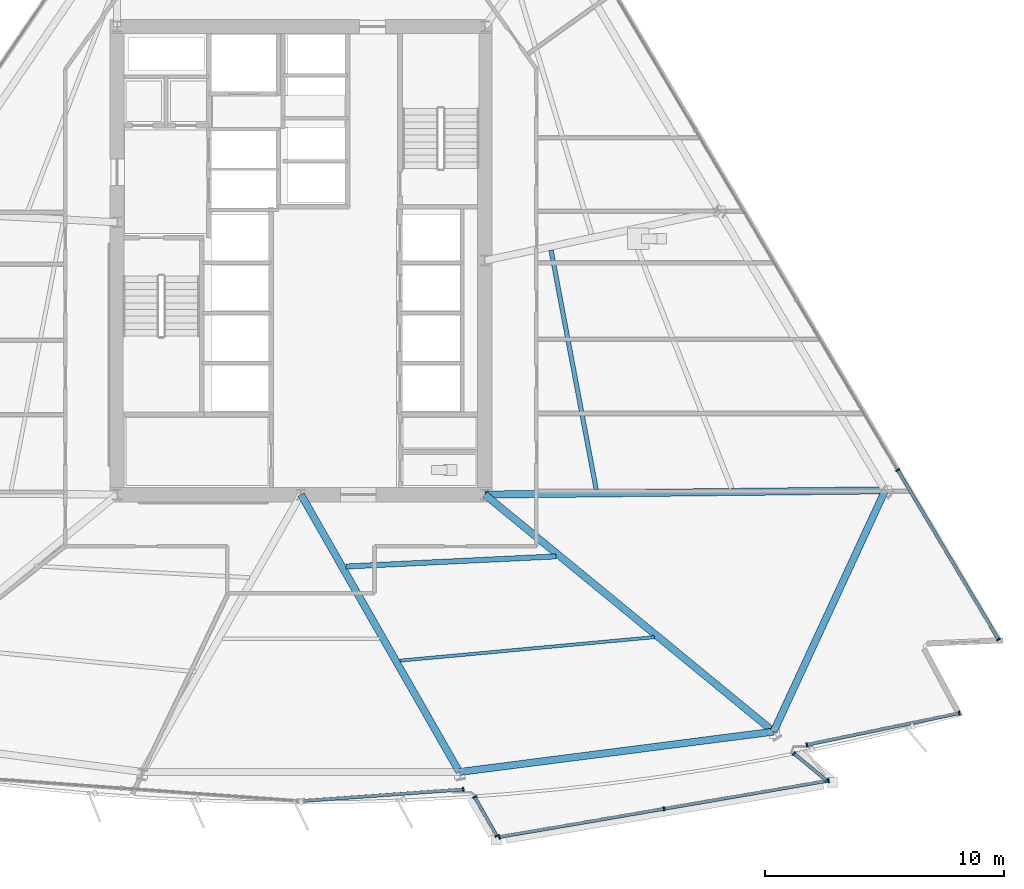
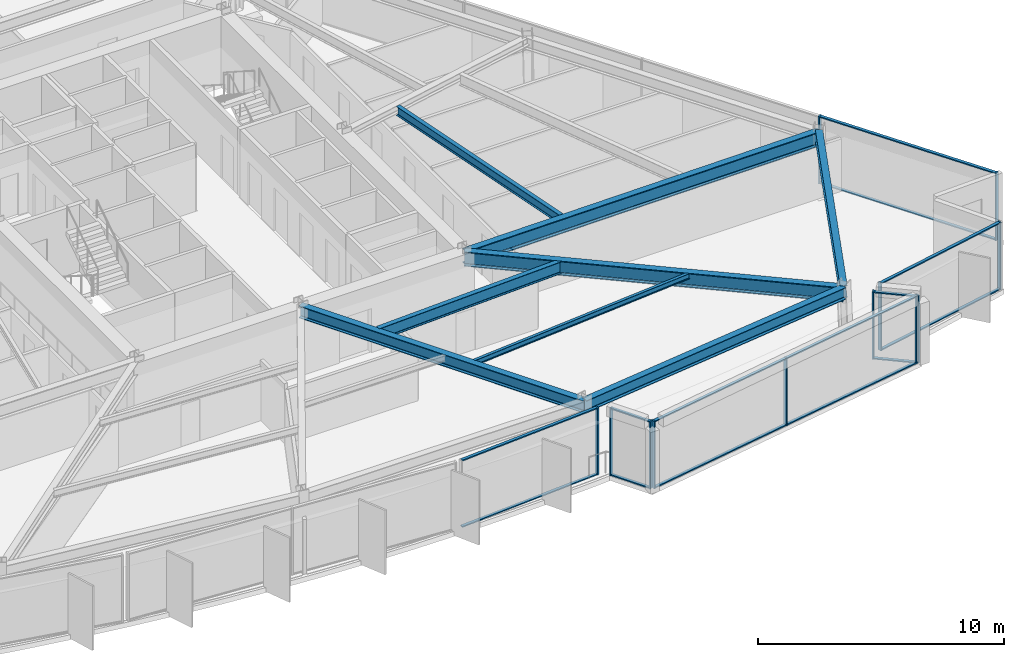
# One storey, part 4 of 16: 26 members, 8 beams, 6 elements without a shape of their own.
"""IFC4 building model written with IfcOpenShell, lengths in metres."""

import ifcopenshell
import ifcopenshell.guid

model = None  # the IFC model being written
_history = None  # IfcOwnerHistory: only IFC2X3 demands one
_inside = {}  # id of a spatial element -> (the spatial element, [elements in it])
_under = {}  # id of a project, library or spatial element -> (it, [spatial elements below it])
_declared = {}  # id of a project -> (the project, [libraries it declares])
_typed = {}  # id of a type object -> (the type object, [elements of that type])
_made_of = {}  # id of a material, layer set ... -> (it, [elements and type objects made of it])


def new_model(schema):
    """Start an empty IFC model of exactly this schema.

    Asked for "IFC4X3", IfcOpenShell would pick the latest addendum, in which some entities
    have other attributes; the version numbers below select the first issue.
    IFC2X3 requires an IfcOwnerHistory on every rooted entity: one is made here for all.
    """
    global model, _history
    if schema == "IFC4X3":
        model = ifcopenshell.file(schema_version=(4, 3, 0, 0))
    else:
        model = ifcopenshell.file(schema=schema)
    _inside.clear()
    _under.clear()
    _declared.clear()
    _typed.clear()
    _made_of.clear()
    _history = None
    if model.schema == "IFC2X3":
        org = make("IfcOrganization", Name="unknown")
        user = make(
            "IfcPersonAndOrganization",
            ThePerson=make("IfcPerson", FamilyName="unknown"),
            TheOrganization=org,
        )
        app = make(
            "IfcApplication",
            ApplicationDeveloper=org,
            Version="unknown",
            ApplicationFullName="unknown",
            ApplicationIdentifier="unknown",
        )
        _history = make(
            "IfcOwnerHistory",
            OwningUser=user,
            OwningApplication=app,
            ChangeAction="ADDED",
            CreationDate=0,
        )
    return model


def make(cls, **values):
    """One entity of the class cls with the attributes given. An attribute that is None is left unset."""
    return model.create_entity(
        cls, **{name: value for name, value in values.items() if value is not None}
    )


def rooted(cls, **values):
    """An entity with a GlobalId (a new one), such as an element, a storey or a relation."""
    return make(cls, GlobalId=ifcopenshell.guid.new(), OwnerHistory=_history, **values)


def si_unit(unit_type, name, prefix=None):
    """IfcSIUnit, for example si_unit("LENGTHUNIT", "METRE", prefix="MILLI")."""
    return make("IfcSIUnit", UnitType=unit_type, Prefix=prefix, Name=name)


def assignment(units):
    """IfcUnitAssignment: the units of a project."""
    return None if units is None else make("IfcUnitAssignment", Units=units)


def point(xyz):
    """IfcCartesianPoint."""
    return None if xyz is None else make("IfcCartesianPoint", Coordinates=xyz)


def direction(xyz):
    """IfcDirection."""
    return None if xyz is None else make("IfcDirection", DirectionRatios=xyz)


def frame(location, z_axis=None, x_axis=None):
    """IfcAxis2Placement3D, a coordinate frame: its origin and axes. An axis left out is left unset."""
    return make(
        "IfcAxis2Placement3D",
        Location=point(location),
        Axis=direction(z_axis),
        RefDirection=direction(x_axis),
    )


def frame_2d(location, x_axis=None):
    """IfcAxis2Placement2D, a coordinate frame in the plane: its origin and x axis."""
    return make(
        "IfcAxis2Placement2D", Location=point(location), RefDirection=direction(x_axis)
    )


def origin():
    """The frame at (0, 0, 0) with its axes left unset."""
    return frame((0.0, 0.0, 0.0))


def origin_2d():
    """The frame at (0, 0) in the plane with its x axis left unset."""
    return frame_2d((0.0, 0.0))


def place(relative_to, where):
    """IfcLocalPlacement: puts the frame where relative to a parent placement (None: the world)."""
    return make(
        "IfcLocalPlacement", PlacementRelTo=relative_to, RelativePlacement=where
    )


def context(
    kind, dimensions, precision=None, world=None, true_north=None, identifier=None
):
    """IfcGeometricRepresentationContext, for example the 3D "Model" context."""
    return make(
        "IfcGeometricRepresentationContext",
        ContextIdentifier=identifier,
        ContextType=kind,
        CoordinateSpaceDimension=dimensions,
        Precision=precision,
        WorldCoordinateSystem=world,
        TrueNorth=true_north,
    )


def subcontext(parent, identifier, kind, view, scale=None):
    """IfcGeometricRepresentationSubContext, for example "Body" below "Model"."""
    return make(
        "IfcGeometricRepresentationSubContext",
        ContextIdentifier=identifier,
        ContextType=kind,
        ParentContext=parent,
        TargetScale=scale,
        TargetView=view,
    )


def project(units=None, contexts=None):
    """IfcProject with its units and contexts."""
    return rooted(
        "IfcProject",
        Name="project",
        RepresentationContexts=contexts,
        UnitsInContext=assignment(units),
    )


def spatial(cls, under=None, at=None, **own):
    """A site, building, storey or space (cls), placed at a placement, below another one or the project."""
    s = rooted(cls, ObjectPlacement=at, **own)
    if under is not None:
        _under.setdefault(under.id(), (under, []))[1].append(s)
    return s


def profile(cls, at=None, kind="AREA", **sizes):
    """A parametric profile (cls). Its sizes go by their IFC names, for example OverallWidth=200.0."""
    return make(cls, ProfileType=kind, Position=at, **sizes)


def rectangle(**sizes):
    """IfcRectangleProfileDef."""
    return profile("IfcRectangleProfileDef", **sizes)


def i_section(**sizes):
    """IfcIShapeProfileDef."""
    return profile("IfcIShapeProfileDef", **sizes)


def extrude(swept, where, along, depth):
    """IfcExtrudedAreaSolid: the profile swept, set in the frame where, extruded along a direction by depth."""
    return make(
        "IfcExtrudedAreaSolid",
        SweptArea=swept,
        Position=where,
        ExtrudedDirection=direction(along),
        Depth=depth,
    )


def shape(context_of_items, identifier, shape_type, items):
    """IfcShapeRepresentation: the items that make up one representation, for example the "Body"."""
    return make(
        "IfcShapeRepresentation",
        ContextOfItems=context_of_items,
        RepresentationIdentifier=identifier,
        RepresentationType=shape_type,
        Items=items,
    )


def material(Name=None, Category=None):
    """IfcMaterial."""
    return make("IfcMaterial", Name=Name, Category=Category)


def material_profile(
    of_material, cross_section, Name=None, Category=None, Priority=None
):
    """IfcMaterialProfile: a cross section and its material."""
    return make(
        "IfcMaterialProfile",
        Name=Name,
        Material=of_material,
        Profile=cross_section,
        Priority=Priority,
        Category=Category,
    )


def profile_set(profiles, Name=None, composite=None):
    """IfcMaterialProfileSet."""
    return make(
        "IfcMaterialProfileSet",
        Name=Name,
        MaterialProfiles=profiles,
        CompositeProfile=composite,
    )


def made_of(thing, what):
    """Note that an element or type object is made of a material, layer set ...; save() writes the relation."""
    if what is not None:
        _made_of.setdefault(what.id(), (what, []))[1].append(thing)
    return thing


def type_object(cls, material=None, **own):
    """A type object (cls), such as IfcWallType, which elements share."""
    return made_of(rooted(cls, **own), material)


def element(
    cls,
    number,
    at=None,
    inside=None,
    cuts=None,
    type_object=None,
    material=None,
    context=None,
    identifier="Body",
    shape_type=None,
    held_by="IfcProductDefinitionShape",
    body=None,
    shapes=None,
    **own,
):
    """One element of the class cls, such as IfcWall. Its Tag is "e" and its number.

    at: its placement. inside: the storey or other place that contains it. cuts: it is an
    opening in that element (IfcRelVoidsElement). A single representation is given by context,
    identifier, shape_type and body (its items); several are given by shapes. held_by: the class
    of the entity that holds the representations. save() writes the other relations.
    """
    e = rooted(cls, Tag="e%d" % number, ObjectPlacement=at, **own)
    if body is not None:
        shapes = [shape(context, identifier, shape_type, body)]
    if shapes is not None:
        e.Representation = make(held_by, Representations=shapes)
    if inside is not None:
        _inside.setdefault(inside.id(), (inside, []))[1].append(e)
    if cuts is not None:
        rooted(
            "IfcRelVoidsElement", RelatingBuildingElement=cuts, RelatedOpeningElement=e
        )
    if type_object is not None:
        _typed.setdefault(type_object.id(), (type_object, []))[1].append(e)
    return made_of(e, material)


def aggregate(whole, parts):
    """IfcRelAggregates: a whole, such as a stair, and the parts it consists of."""
    return rooted("IfcRelAggregates", RelatingObject=whole, RelatedObjects=parts)


def save(model, path):
    """Write the relations noted so far, then the file.

    IfcRelAggregates (storeys below a building ...), IfcRelContainedInSpatialStructure (elements
    in a storey), IfcRelDefinesByType, IfcRelAssociatesMaterial and IfcRelDeclares: one each for
    every whole, place, type object, material and project.
    """
    for whole, parts in _under.values():
        aggregate(whole, parts)
    for where, things in _inside.values():
        rooted(
            "IfcRelContainedInSpatialStructure",
            RelatedElements=things,
            RelatingStructure=where,
        )
    for kind, things in _typed.values():
        rooted("IfcRelDefinesByType", RelatedObjects=things, RelatingType=kind)
    for what, things in _made_of.values():
        rooted("IfcRelAssociatesMaterial", RelatedObjects=things, RelatingMaterial=what)
    for by, libraries in _declared.values():
        rooted("IfcRelDeclares", RelatingContext=by, RelatedDefinitions=libraries)
    model.write(path)


model = new_model("IFC4")

# Units and contexts
model_context = context("Model", 3, precision=1e-05, world=origin(), true_north=direction((0.0, 1.0)))
body_context = subcontext(model_context, "Body", "Model", "MODEL_VIEW")
ifc_project = project(units=[si_unit("LENGTHUNIT", "METRE"), si_unit("AREAUNIT", "SQUARE_METRE"), si_unit("VOLUMEUNIT", "CUBIC_METRE"), si_unit("PLANEANGLEUNIT", "RADIAN"), si_unit("MASSUNIT", "GRAM", prefix="KILO")], contexts=[model_context])

# Site, building, storey
site_placement = place(None, origin())
site = spatial("IfcSite", under=ifc_project, at=site_placement, CompositionType="ELEMENT")
building_placement = place(site_placement, origin())
building = spatial("IfcBuilding", under=site, at=building_placement, Name="Savorim Split Tower", CompositionType="ELEMENT")
storey_placement = place(building_placement, frame((0.0, 0.0, 51.60009765625)))
storey = spatial("IfcBuildingStorey", under=building, at=storey_placement, Name="L13", CompositionType="ELEMENT", Elevation=51.60009765625)

# Beams
ifc_material_1 = material(Name="Steel S355", Category="steel")
ifc_material_profile_1 = material_profile(ifc_material_1, i_section(OverallWidth=0.135009765625, OverallDepth=0.27001953125, WebThickness=0.006591796875, FlangeThickness=0.01025390625, FilletRadius=0.014892578125, at=origin_2d()), Name="IPE 270")
ifc_profile_set_1 = profile_set([ifc_material_profile_1], Name="Steel S355")
beam_type_1 = type_object("IfcBeamType", Name="BM-JST-IPE270", PredefinedType="JOIST", material=ifc_profile_set_1)
beam_1_placement = place(storey_placement, frame((4.138916015625, -16.3544921875, 3.21484375), z_axis=(0.995759929826, 0.09199001116, 0.0), x_axis=(-0.09199001116, 0.995759929826, 0.0)))
element("IfcBeam", 1, at=beam_1_placement, inside=storey, type_object=beam_type_1, Name="L13 Secondary Floor Joist JS-04", PredefinedType="JOIST", context=body_context, shape_type="SweptSolid", body=[
    extrude(i_section(OverallWidth=0.135009765625, OverallDepth=0.27001953125, WebThickness=0.006591796875, FlangeThickness=0.01025390625, FilletRadius=0.014892578125, at=origin_2d()), origin(), (0.0, 0.0, 1.0), 10.700927734375),
])
ifc_material_profile_2 = material_profile(ifc_material_1, i_section(OverallWidth=0.18994140625, OverallDepth=0.449951171875, WebThickness=0.009521484375, FlangeThickness=0.0146484375, FilletRadius=0.02099609375, at=origin_2d()), Name="IPE 450")
ifc_profile_set_2 = profile_set([ifc_material_profile_2], Name="Steel S355")
beam_type_2 = type_object("IfcBeamType", Name="BM-JST-IPE450", PredefinedType="JOIST", material=ifc_profile_set_2)
beam_2_placement = place(storey_placement, frame((12.363525390625, -9.193115234375, 3.125), z_axis=(-0.185271719404, 0.982687330736, 0.0), x_axis=(-0.982687330736, -0.185271719404, 0.0)))
element("IfcBeam", 2, at=beam_2_placement, inside=storey, type_object=beam_type_2, Name="L13 Secondary Floor Joist JS-08", PredefinedType="JOIST", context=body_context, shape_type="SweptSolid", body=[
    extrude(i_section(OverallWidth=0.18994140625, OverallDepth=0.449951171875, WebThickness=0.009521484375, FlangeThickness=0.0146484375, FilletRadius=0.02099609375, at=origin_2d()), origin(), (0.0, 0.0, 1.0), 10.194091796875),
])
ifc_material_profile_3 = material_profile(ifc_material_1, i_section(OverallWidth=0.219970703125, OverallDepth=0.60009765625, WebThickness=0.011962890625, FlangeThickness=0.01904296875, FilletRadius=0.02392578125, at=origin_2d()), Name="IPE 600")
ifc_profile_set_3 = profile_set([ifc_material_profile_3], Name="Steel S355")
beam_type_3 = type_object("IfcBeamType", Name="BM-JST-IPE600", PredefinedType="JOIST", material=ifc_profile_set_3)
beam_3_placement = place(storey_placement, frame((1.88427734375, -12.412109375, 3.0498046875), z_axis=(0.998842031295, 0.048110253769, 0.0), x_axis=(-0.048110253769, 0.998842031295, 0.0)))
element("IfcBeam", 3, at=beam_3_placement, inside=storey, type_object=beam_type_3, Name="L13 Secondary Floor Joist JS-05", PredefinedType="JOIST", context=body_context, shape_type="SweptSolid", body=[
    extrude(i_section(OverallWidth=0.219970703125, OverallDepth=0.60009765625, WebThickness=0.011962890625, FlangeThickness=0.01904296875, FilletRadius=0.02392578125, at=origin_2d()), origin(), (0.0, 0.0, 1.0), 8.8095703125),
])
ifc_material_profile_4 = material_profile(ifc_material_1, i_section(OverallWidth=0.300048828125, OverallDepth=0.60009765625, WebThickness=0.015380859375, FlangeThickness=0.030029296875, FilletRadius=0.027099609375, at=origin_2d()), Name="HEB 600")
ifc_profile_set_4 = profile_set([ifc_material_profile_4], Name="Steel S355")
beam_type_4 = type_object("IfcBeamType", Name="BM-PRI-HEB600", PredefinedType="BEAM", material=ifc_profile_set_4)
beam_4_placement = place(storey_placement, frame((6.632568359375, -21.01513671875, 3.0498046875), z_axis=(-0.495873547697, 0.868394740135, 0.0), x_axis=(-0.868394740135, -0.495873547697, 0.0)))
element("IfcBeam", 4, at=beam_4_placement, inside=storey, type_object=beam_type_4, Name="L13 Primary Floor Girder RG-03", PredefinedType="BEAM", context=body_context, shape_type="SweptSolid", body=[
    extrude(i_section(OverallWidth=0.300048828125, OverallDepth=0.60009765625, WebThickness=0.015380859375, FlangeThickness=0.030029296875, FilletRadius=0.027099609375, at=origin_2d()), origin(), (0.0, 0.0, 1.0), 13.37548828125),
])
ifc_material_2 = material(Name="Steel S460", Category="steel")
ifc_material_profile_5 = material_profile(ifc_material_2, i_section(OverallWidth=0.303955078125, OverallDepth=0.716064453125, WebThickness=0.02099609375, FlangeThickness=0.0400390625, FilletRadius=0.027099609375, at=origin_2d()), Name="HE 700 M")
ifc_profile_set_5 = profile_set([ifc_material_profile_5], Name="Steel S460")
beam_type_5 = type_object("IfcBeamType", Name="BM-PRI-HEM700", PredefinedType="BEAM", material=ifc_profile_set_5)
beam_5_placement = place(storey_placement, frame((19.789794921875, -19.325927734375, 2.991943359375), z_axis=(-0.772880428001, 0.634551687424, 0.0), x_axis=(-0.634551687424, -0.772880428001, 0.0)))
element("IfcBeam", 5, at=beam_5_placement, inside=storey, type_object=beam_type_5, Name="L13 Primary Floor Girder RG-04", PredefinedType="BEAM", context=body_context, shape_type="SweptSolid", body=[
    extrude(i_section(OverallWidth=0.303955078125, OverallDepth=0.716064453125, WebThickness=0.02099609375, FlangeThickness=0.0400390625, FilletRadius=0.027099609375, at=origin_2d()), origin(), (0.0, 0.0, 1.0), 15.642578125),
])
beam_6_placement = place(storey_placement, frame((24.461181640625, -9.222412109375, 2.991943359375), z_axis=(-0.999943937739, -0.010588738351, 0.0), x_axis=(0.010588738351, -0.999943937739, 0.0)))
element("IfcBeam", 6, at=beam_6_placement, inside=storey, type_object=beam_type_5, Name="L13 Primary Floor Girder RG-05", PredefinedType="BEAM", context=body_context, shape_type="SweptSolid", body=[
    extrude(i_section(OverallWidth=0.303955078125, OverallDepth=0.716064453125, WebThickness=0.02099609375, FlangeThickness=0.0400390625, FilletRadius=0.027099609375, at=origin_2d()), origin(), (0.0, 0.0, 1.0), 16.76220703125),
])
ifc_material_profile_6 = material_profile(ifc_material_1, i_section(OverallWidth=0.300048828125, OverallDepth=0.590087890625, WebThickness=0.012939453125, FlangeThickness=0.02490234375, FilletRadius=0.027099609375, at=origin_2d()), Name="HEA 600")
ifc_profile_set_6 = profile_set([ifc_material_profile_6], Name="Steel S355")
beam_type_6 = type_object("IfcBeamType", Name="BM-SPN-HEA600", PredefinedType="SPANDREL", material=ifc_profile_set_6)
beam_7_placement = place(storey_placement, frame((6.632568359375, -21.01513671875, 3.054931640625), z_axis=(0.99185897058, 0.127341204955, 0.0), x_axis=(-0.127341204955, 0.99185897058, 0.0)))
element("IfcBeam", 7, at=beam_7_placement, inside=storey, type_object=beam_type_6, Name="L13 Perimeter Spandrel Beam 3", PredefinedType="SPANDREL", context=body_context, shape_type="SweptSolid", body=[
    extrude(i_section(OverallWidth=0.300048828125, OverallDepth=0.590087890625, WebThickness=0.012939453125, FlangeThickness=0.02490234375, FilletRadius=0.027099609375, at=origin_2d()), origin(), (0.0, 0.0, 1.0), 13.26513671875),
])
beam_8_placement = place(storey_placement, frame((19.789794921875, -19.325927734375, 3.054931640625), z_axis=(0.41966728742, 0.907678008916, 0.0), x_axis=(-0.907678008916, 0.41966728742, 0.0)))
element("IfcBeam", 8, at=beam_8_placement, inside=storey, type_object=beam_type_6, Name="L13 Perimeter Spandrel Beam 4", PredefinedType="SPANDREL", context=body_context, shape_type="SweptSolid", body=[
    extrude(i_section(OverallWidth=0.300048828125, OverallDepth=0.590087890625, WebThickness=0.012939453125, FlangeThickness=0.02490234375, FilletRadius=0.027099609375, at=origin_2d()), origin(), (0.0, 0.0, 1.0), 11.131103515625),
])

# Curtain wall, member
ifc_material_3 = material(Name="Dark Ceramic-Fritted Insulated Glass", Category="glass")
curtain_wall_type_1 = type_object("IfcCurtainWallType", Name="CW-TWR-FRIT-A", PredefinedType="NOTDEFINED", material=ifc_material_3)
curtain_wall_1_placement = place(storey_placement, origin())
curtain_wall_1 = element("IfcCurtainWall", 9, at=curtain_wall_1_placement, inside=storey, type_object=curtain_wall_type_1, Name="L13 Curtain Wall CW-L13-SF3A", PredefinedType="NOTDEFINED")
ifc_material_4 = material(Name="Charcoal Anodised Aluminium", Category="aluminium")
ifc_material_profile_7 = material_profile(ifc_material_4, rectangle(XDim=0.179931640625, YDim=0.06494140625, at=origin_2d()), Name="ALU-M 180x65")
ifc_profile_set_7 = profile_set([ifc_material_profile_7], Name="Charcoal Anodised Aluminium")
member_type_1 = type_object("IfcMemberType", Name="CWM-180x65", PredefinedType="MULLION", material=ifc_profile_set_7)
member_1_placement = place(storey_placement, frame((6.79541015625, -21.74267578125, 0.0), z_axis=(0.0, 0.0, 1.0), x_axis=(-0.071558503422, 0.997436404283, 0.0)))
member_1 = element("IfcMember", 10, at=member_1_placement, type_object=member_type_1, Name="CW-02 mullion 2", PredefinedType="MULLION", context=body_context, shape_type="SweptSolid", body=[
    extrude(rectangle(XDim=0.179931640625, YDim=0.06494140625, at=origin_2d()), origin(), (0.0, 0.0, 1.0), 3.349853515625),
])

# Curtain wall, members
curtain_wall_2_placement = place(storey_placement, origin())
curtain_wall_2 = element("IfcCurtainWall", 11, at=curtain_wall_2_placement, inside=storey, type_object=curtain_wall_type_1, Name="L13 Curtain Wall CW-L13-SF4A", PredefinedType="NOTDEFINED")
member_2_placement = place(storey_placement, frame((21.184814453125, -19.875, 0.0), z_axis=(0.0, 0.0, 1.0), x_axis=(-0.203209584628, 0.979135263748, 0.0)))
member_2 = element("IfcMember", 12, at=member_2_placement, type_object=member_type_1, Name="CW-02 mullion 1", PredefinedType="MULLION", context=body_context, shape_type="SweptSolid", body=[
    extrude(rectangle(XDim=0.179931640625, YDim=0.06494140625, at=origin_2d()), origin(), (0.0, 0.0, 1.0), 3.349853515625),
])
member_3_placement = place(storey_placement, frame((27.564208984375, -18.551025390625, 0.0), z_axis=(0.0, 0.0, 1.0), x_axis=(-0.203209584628, 0.979135263748, 0.0)))
member_3 = element("IfcMember", 13, at=member_3_placement, type_object=member_type_1, Name="CW-02 mullion 2", PredefinedType="MULLION", context=body_context, shape_type="SweptSolid", body=[
    extrude(rectangle(XDim=0.179931640625, YDim=0.06494140625, at=origin_2d()), origin(), (0.0, 0.0, 1.0), 3.349853515625),
])

curtain_wall_type_2 = type_object("IfcCurtainWallType", Name="CW-BAY-LOUNGE", PredefinedType="NOTDEFINED", material=ifc_material_3)
curtain_wall_3_placement = place(storey_placement, origin())
curtain_wall_3 = element("IfcCurtainWall", 14, at=curtain_wall_3_placement, inside=storey, type_object=curtain_wall_type_2, Name="L13 Curtain Wall CW-L13-BAYF", PredefinedType="NOTDEFINED")
member_4_placement = place(storey_placement, frame((8.31103515625, -23.735595703125, 0.0), z_axis=(0.0, 0.0, 1.0), x_axis=(-0.168922704446, 0.985629301473, 0.0)))
member_4 = element("IfcMember", 15, at=member_4_placement, type_object=member_type_1, Name="CW-04 mullion 1", PredefinedType="MULLION", context=body_context, shape_type="SweptSolid", body=[
    extrude(rectangle(XDim=0.179931640625, YDim=0.06494140625, at=origin_2d()), origin(), (0.0, 0.0, 1.0), 3.349853515625),
])
member_5_placement = place(storey_placement, frame((15.19970703125, -22.554931640625, 0.0), z_axis=(0.0, 0.0, 1.0), x_axis=(-0.168922704446, 0.985629301473, 0.0)))
member_5 = element("IfcMember", 16, at=member_5_placement, type_object=member_type_1, Name="CW-04 mullion 2", PredefinedType="MULLION", context=body_context, shape_type="SweptSolid", body=[
    extrude(rectangle(XDim=0.179931640625, YDim=0.06494140625, at=origin_2d()), origin(), (0.0, 0.0, 1.0), 3.349853515625),
])
member_6_placement = place(storey_placement, frame((22.08837890625, -21.374267578125, 0.0), z_axis=(0.0, 0.0, 1.0), x_axis=(-0.168922704446, 0.985629301473, 0.0)))
member_6 = element("IfcMember", 17, at=member_6_placement, type_object=member_type_1, Name="CW-04 mullion 3", PredefinedType="MULLION", context=body_context, shape_type="SweptSolid", body=[
    extrude(rectangle(XDim=0.179931640625, YDim=0.06494140625, at=origin_2d()), origin(), (0.0, 0.0, 1.0), 3.349853515625),
])

curtain_wall_4_placement = place(storey_placement, origin())
curtain_wall_4 = element("IfcCurtainWall", 18, at=curtain_wall_4_placement, inside=storey, type_object=curtain_wall_type_2, Name="L13 Curtain Wall CW-L13-BAYW", PredefinedType="NOTDEFINED")
member_7_placement = place(storey_placement, frame((7.2763671875, -22.06298828125, 0.0), z_axis=(0.0, 0.0, 1.0), x_axis=(0.870448573332, 0.492259363735, 0.0)))
member_7 = element("IfcMember", 19, at=member_7_placement, type_object=member_type_1, Name="CW-04 mullion 1", PredefinedType="MULLION", context=body_context, shape_type="SweptSolid", body=[
    extrude(rectangle(XDim=0.179931640625, YDim=0.06494140625, at=origin_2d()), origin(), (0.0, 0.0, 1.0), 3.349853515625),
])
member_8_placement = place(storey_placement, frame((8.199462890625, -23.6953125, 0.0), z_axis=(0.0, 0.0, 1.0), x_axis=(0.870448573332, 0.492259363735, 0.0)))
member_8 = element("IfcMember", 20, at=member_8_placement, type_object=member_type_1, Name="CW-04 mullion 2", PredefinedType="MULLION", context=body_context, shape_type="SweptSolid", body=[
    extrude(rectangle(XDim=0.179931640625, YDim=0.06494140625, at=origin_2d()), origin(), (0.0, 0.0, 1.0), 3.349853515625),
])

curtain_wall_5_placement = place(storey_placement, origin())
curtain_wall_5 = element("IfcCurtainWall", 21, at=curtain_wall_5_placement, inside=storey, type_object=curtain_wall_type_2, Name="L13 Curtain Wall CW-L13-BAYE", PredefinedType="NOTDEFINED")
member_9_placement = place(storey_placement, frame((22.0087890625, -21.37255859375, 0.0), z_axis=(0.0, 0.0, 1.0), x_axis=(-0.637607864358, -0.770361091507, 0.0)))
member_9 = element("IfcMember", 22, at=member_9_placement, type_object=member_type_1, Name="CW-04 mullion 1", PredefinedType="MULLION", context=body_context, shape_type="SweptSolid", body=[
    extrude(rectangle(XDim=0.179931640625, YDim=0.06494140625, at=origin_2d()), origin(), (0.0, 0.0, 1.0), 3.349853515625),
])
member_10_placement = place(storey_placement, frame((20.645263671875, -20.244140625, 0.0), z_axis=(0.0, 0.0, 1.0), x_axis=(-0.637607864358, -0.770361091507, 0.0)))
member_10 = element("IfcMember", 23, at=member_10_placement, type_object=member_type_1, Name="CW-04 mullion 2", PredefinedType="MULLION", context=body_context, shape_type="SweptSolid", body=[
    extrude(rectangle(XDim=0.179931640625, YDim=0.06494140625, at=origin_2d()), origin(), (0.0, 0.0, 1.0), 3.349853515625),
])

curtain_wall_6_placement = place(storey_placement, origin())
curtain_wall_6 = element("IfcCurtainWall", 24, at=curtain_wall_6_placement, inside=storey, type_object=curtain_wall_type_1, Name="L13 Curtain Wall CW-L13-EAST", PredefinedType="NOTDEFINED")
member_11_placement = place(storey_placement, frame((29.2041015625, -15.4658203125, 0.0), z_axis=(0.0, 0.0, 1.0), x_axis=(-0.859525822673, -0.511092320583, 0.0)))
member_11 = element("IfcMember", 25, at=member_11_placement, type_object=member_type_1, Name="CW-02 mullion 1", PredefinedType="MULLION", context=body_context, shape_type="SweptSolid", body=[
    extrude(rectangle(XDim=0.179931640625, YDim=0.06494140625, at=origin_2d()), origin(), (0.0, 0.0, 1.0), 3.349853515625),
])
member_12_placement = place(storey_placement, frame((24.9853515625, -8.371337890625, 0.0), z_axis=(0.0, 0.0, 1.0), x_axis=(-0.859525822673, -0.511092320583, 0.0)))
member_12 = element("IfcMember", 26, at=member_12_placement, type_object=member_type_1, Name="CW-02 mullion 2", PredefinedType="MULLION", context=body_context, shape_type="SweptSolid", body=[
    extrude(rectangle(XDim=0.179931640625, YDim=0.06494140625, at=origin_2d()), origin(), (0.0, 0.0, 1.0), 3.349853515625),
])

# Member
ifc_material_profile_8 = material_profile(ifc_material_4, rectangle(XDim=0.139892578125, YDim=0.054931640625, at=origin_2d()), Name="ALU-T 140x55")
ifc_profile_set_8 = profile_set([ifc_material_profile_8], Name="Charcoal Anodised Aluminium")
member_type_2 = type_object("IfcMemberType", Name="CWT-140x55", PredefinedType="USERDEFINED", material=ifc_profile_set_8)
member_13_placement = place(storey_placement, frame((0.156005859375, -22.218994140625, 0.02734375), z_axis=(0.99743507146, 0.071577078885, 0.0), x_axis=(-0.071577078885, 0.99743507146, 0.0)))
member_13 = element("IfcMember", 27, at=member_13_placement, type_object=member_type_2, Name="CW-02 transom 1.1", ObjectType="TRANSOM", PredefinedType="USERDEFINED", context=body_context, shape_type="SweptSolid", body=[
    extrude(rectangle(XDim=0.139892578125, YDim=0.054931640625, at=origin_2d()), origin(), (0.0, 0.0, 1.0), 6.6240234375),
])

member_14_placement = place(storey_placement, frame((0.156005859375, -22.218994140625, 3.322509765625), z_axis=(0.99743507146, 0.071577078885, 0.0), x_axis=(-0.071577078885, 0.99743507146, 0.0)))
member_14 = element("IfcMember", 28, at=member_14_placement, type_object=member_type_2, Name="CW-02 transom 1.2", ObjectType="TRANSOM", PredefinedType="USERDEFINED", context=body_context, shape_type="SweptSolid", body=[
    extrude(rectangle(XDim=0.139892578125, YDim=0.054931640625, at=origin_2d()), origin(), (0.0, 0.0, 1.0), 6.6240234375),
])

aggregate(curtain_wall_1, [member_1, member_13, member_14])

member_15_placement = place(storey_placement, frame((21.216552734375, -19.868408203125, 0.02734375), z_axis=(0.97913568463, 0.203207556659, 0.0), x_axis=(-0.203207556659, 0.97913568463, 0.0)))
member_15 = element("IfcMember", 29, at=member_15_placement, type_object=member_type_2, Name="CW-02 transom 1.1", ObjectType="TRANSOM", PredefinedType="USERDEFINED", context=body_context, shape_type="SweptSolid", body=[
    extrude(rectangle(XDim=0.139892578125, YDim=0.054931640625, at=origin_2d()), origin(), (0.0, 0.0, 1.0), 6.450439453125),
])

member_16_placement = place(storey_placement, frame((21.216552734375, -19.868408203125, 3.322509765625), z_axis=(0.97913568463, 0.203207556659, 0.0), x_axis=(-0.203207556659, 0.97913568463, 0.0)))
member_16 = element("IfcMember", 30, at=member_16_placement, type_object=member_type_2, Name="CW-02 transom 1.2", ObjectType="TRANSOM", PredefinedType="USERDEFINED", context=body_context, shape_type="SweptSolid", body=[
    extrude(rectangle(XDim=0.139892578125, YDim=0.054931640625, at=origin_2d()), origin(), (0.0, 0.0, 1.0), 6.450439453125),
])

aggregate(curtain_wall_2, [member_2, member_3, member_15, member_16])

member_17_placement = place(storey_placement, frame((8.343017578125, -23.72998046875, 0.02734375), z_axis=(0.985628796973, 0.168925648075, 0.0), x_axis=(-0.168925648075, 0.985628796973, 0.0)))
member_17 = element("IfcMember", 31, at=member_17_placement, type_object=member_type_2, Name="CW-04 transom 1.1", ObjectType="TRANSOM", PredefinedType="USERDEFINED", context=body_context, shape_type="SweptSolid", body=[
    extrude(rectangle(XDim=0.139892578125, YDim=0.054931640625, at=origin_2d()), origin(), (0.0, 0.0, 1.0), 6.92431640625),
])

member_18_placement = place(storey_placement, frame((8.343017578125, -23.72998046875, 3.322509765625), z_axis=(0.985628796973, 0.168925648075, 0.0), x_axis=(-0.168925648075, 0.985628796973, 0.0)))
member_18 = element("IfcMember", 32, at=member_18_placement, type_object=member_type_2, Name="CW-04 transom 1.2", ObjectType="TRANSOM", PredefinedType="USERDEFINED", context=body_context, shape_type="SweptSolid", body=[
    extrude(rectangle(XDim=0.139892578125, YDim=0.054931640625, at=origin_2d()), origin(), (0.0, 0.0, 1.0), 6.92431640625),
])

member_19_placement = place(storey_placement, frame((15.231689453125, -22.54931640625, 0.02734375), z_axis=(0.985633661162, 0.168897264586, 0.0), x_axis=(-0.168897264586, 0.985633661162, 0.0)))
member_19 = element("IfcMember", 33, at=member_19_placement, type_object=member_type_2, Name="CW-04 transom 2.1", ObjectType="TRANSOM", PredefinedType="USERDEFINED", context=body_context, shape_type="SweptSolid", body=[
    extrude(rectangle(XDim=0.139892578125, YDim=0.054931640625, at=origin_2d()), origin(), (0.0, 0.0, 1.0), 6.923828125),
])

member_20_placement = place(storey_placement, frame((15.231689453125, -22.54931640625, 3.322509765625), z_axis=(0.985633661162, 0.168897264586, 0.0), x_axis=(-0.168897264586, 0.985633661162, 0.0)))
member_20 = element("IfcMember", 34, at=member_20_placement, type_object=member_type_2, Name="CW-04 transom 2.2", ObjectType="TRANSOM", PredefinedType="USERDEFINED", context=body_context, shape_type="SweptSolid", body=[
    extrude(rectangle(XDim=0.139892578125, YDim=0.054931640625, at=origin_2d()), origin(), (0.0, 0.0, 1.0), 6.923828125),
])

aggregate(curtain_wall_3, [member_4, member_5, member_6, member_17, member_18, member_19, member_20])

member_21_placement = place(storey_placement, frame((7.29248046875, -22.09130859375, 0.02734375), z_axis=(0.492168362431, -0.870500030455, 0.0), x_axis=(0.870500030455, 0.492168362431, 0.0)))
member_21 = element("IfcMember", 35, at=member_21_placement, type_object=member_type_2, Name="CW-04 transom 1.1", ObjectType="TRANSOM", PredefinedType="USERDEFINED", context=body_context, shape_type="SweptSolid", body=[
    extrude(rectangle(XDim=0.139892578125, YDim=0.054931640625, at=origin_2d()), origin(), (0.0, 0.0, 1.0), 1.81005859375),
])

member_22_placement = place(storey_placement, frame((7.29248046875, -22.09130859375, 3.322509765625), z_axis=(0.492168362431, -0.870500030455, 0.0), x_axis=(0.870500030455, 0.492168362431, 0.0)))
member_22 = element("IfcMember", 36, at=member_22_placement, type_object=member_type_2, Name="CW-04 transom 1.2", ObjectType="TRANSOM", PredefinedType="USERDEFINED", context=body_context, shape_type="SweptSolid", body=[
    extrude(rectangle(XDim=0.139892578125, YDim=0.054931640625, at=origin_2d()), origin(), (0.0, 0.0, 1.0), 1.81005859375),
])

aggregate(curtain_wall_4, [member_7, member_8, member_21, member_22])

member_23_placement = place(storey_placement, frame((21.983642578125, -21.35205078125, 0.02734375), z_axis=(-0.770353090982, 0.63761753051, 0.0), x_axis=(-0.63761753051, -0.770353090982, 0.0)))
member_23 = element("IfcMember", 37, at=member_23_placement, type_object=member_type_2, Name="CW-04 transom 1.1", ObjectType="TRANSOM", PredefinedType="USERDEFINED", context=body_context, shape_type="SweptSolid", body=[
    extrude(rectangle(XDim=0.139892578125, YDim=0.054931640625, at=origin_2d()), origin(), (0.0, 0.0, 1.0), 1.705078125),
])

member_24_placement = place(storey_placement, frame((21.983642578125, -21.35205078125, 3.322509765625), z_axis=(-0.770353090982, 0.63761753051, 0.0), x_axis=(-0.63761753051, -0.770353090982, 0.0)))
member_24 = element("IfcMember", 38, at=member_24_placement, type_object=member_type_2, Name="CW-04 transom 1.2", ObjectType="TRANSOM", PredefinedType="USERDEFINED", context=body_context, shape_type="SweptSolid", body=[
    extrude(rectangle(XDim=0.139892578125, YDim=0.054931640625, at=origin_2d()), origin(), (0.0, 0.0, 1.0), 1.705078125),
])

aggregate(curtain_wall_5, [member_9, member_10, member_23, member_24])

member_25_placement = place(storey_placement, frame((29.1875, -15.43798828125, 0.02734375), z_axis=(-0.511102775567, 0.859519605831, 0.0), x_axis=(-0.859519605831, -0.511102775567, 0.0)))
member_25 = element("IfcMember", 39, at=member_25_placement, type_object=member_type_2, Name="CW-02 transom 1.1", ObjectType="TRANSOM", PredefinedType="USERDEFINED", context=body_context, shape_type="SweptSolid", body=[
    extrude(rectangle(XDim=0.139892578125, YDim=0.054931640625, at=origin_2d()), origin(), (0.0, 0.0, 1.0), 8.189208984375),
])

member_26_placement = place(storey_placement, frame((29.1875, -15.43798828125, 3.322509765625), z_axis=(-0.511102775567, 0.859519605831, 0.0), x_axis=(-0.859519605831, -0.511102775567, 0.0)))
member_26 = element("IfcMember", 40, at=member_26_placement, type_object=member_type_2, Name="CW-02 transom 1.2", ObjectType="TRANSOM", PredefinedType="USERDEFINED", context=body_context, shape_type="SweptSolid", body=[
    extrude(rectangle(XDim=0.139892578125, YDim=0.054931640625, at=origin_2d()), origin(), (0.0, 0.0, 1.0), 8.189208984375),
])

aggregate(curtain_wall_6, [member_11, member_12, member_25, member_26])

save(model, "model.ifc")
